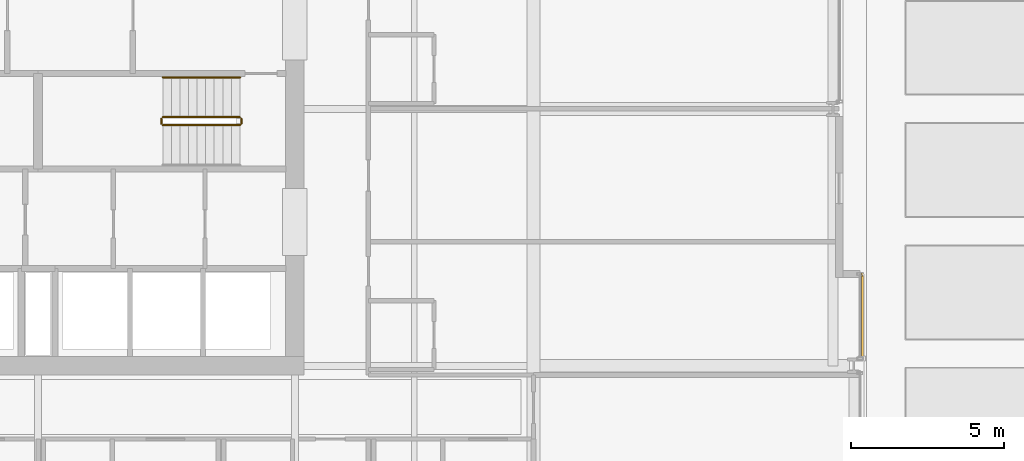
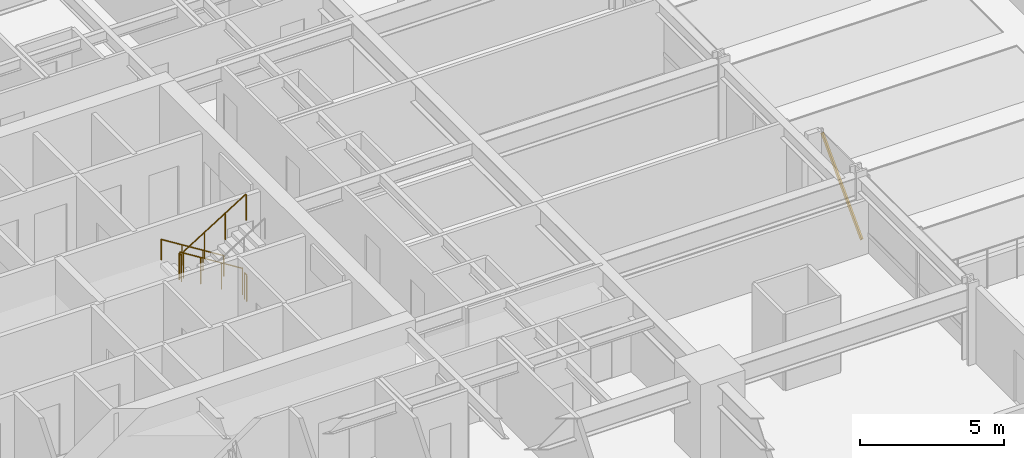
# One storey, part 41 of 42: 5 railings, 1 shading device.
"""IFC4 building model written with IfcOpenShell, lengths in metres."""

from ifc_helpers import new_model, si_unit, direction, frame, origin, origin_2d, place, context, subcontext, project, spatial, hollow_rectangle, circle, extrude, material, material_profile, profile_set, type_object, element, save


model = new_model("IFC4")

# Units and contexts
model_context = context("Model", 3, precision=1e-05, world=origin(), true_north=direction((0.0, 1.0)))
body_context = subcontext(model_context, "Body", "Model", "MODEL_VIEW")
ifc_project = project(units=[si_unit("LENGTHUNIT", "METRE"), si_unit("AREAUNIT", "SQUARE_METRE"), si_unit("VOLUMEUNIT", "CUBIC_METRE"), si_unit("PLANEANGLEUNIT", "RADIAN"), si_unit("MASSUNIT", "GRAM", prefix="KILO")], contexts=[model_context])

# Site, building, storey
site_placement = place(None, origin())
site = spatial("IfcSite", under=ifc_project, at=site_placement, CompositionType="ELEMENT")
building_placement = place(site_placement, origin())
building = spatial("IfcBuilding", under=site, at=building_placement, Name="Drelvath Grand Hotel", CompositionType="ELEMENT")
storey_placement = place(building_placement, frame((0.0, 0.0, 33.199951171875)))
storey = spatial("IfcBuildingStorey", under=building, at=storey_placement, Name="L06", CompositionType="ELEMENT", Elevation=33.199951171875)

# Railings
ifc_material_1 = material(Name="Painted Steel S275", Category="steel")
railing_type_1 = type_object("IfcRailingType", Name="Core Stair Wall Handrail 900", PredefinedType="HANDRAIL", material=ifc_material_1)
railing_1_placement = place(storey_placement, frame((6.60009765625, 28.030029296875, 0.175048828125)))
element("IfcRailing", 1, at=railing_1_placement, inside=storey, type_object=railing_type_1, Name="L06 ST-2 stair handrail 1", PredefinedType="HANDRAIL", context=body_context, shape_type="SweptSolid", body=[
    extrude(circle(Radius=0.02392578125, at=origin_2d()), frame((0.0, 0.0, 0.8759765625), z_axis=(-0.848007534815, 0.0, 0.529984170421), x_axis=(0.0, -1.0, 0.0)), (0.0, 0.0, 1.0), 2.9716796875),
    extrude(circle(Radius=0.02099609375, at=origin_2d()), origin(), (0.0, 0.0, 1.0), 0.851806640625),
    extrude(circle(Radius=0.02099609375, at=origin_2d()), frame((-0.840087890625, 0.0, 0.52490234375)), (0.0, 0.0, 1.0), 0.851806640625),
    extrude(circle(Radius=0.02099609375, at=origin_2d()), frame((-1.679931640625, 0.0, 1.050048828125)), (0.0, 0.0, 1.0), 0.851806640625),
    extrude(circle(Radius=0.02099609375, at=origin_2d()), frame((-2.52001953125, 0.0, 1.574951171875)), (0.0, 0.0, 1.0), 0.851806640625),
])
railing_type_2 = type_object("IfcRailingType", Name="Core Stair Well Guardrail 1100", PredefinedType="GUARDRAIL", material=ifc_material_1)
railing_2_placement = place(storey_placement, frame((6.60009765625, 26.72998046875, 0.175048828125)))
element("IfcRailing", 2, at=railing_2_placement, inside=storey, type_object=railing_type_2, Name="L06 ST-2 stair guard 1", PredefinedType="GUARDRAIL", context=body_context, shape_type="SweptSolid", body=[
    extrude(circle(Radius=0.02392578125, at=origin_2d()), frame((0.0, 0.0, 1.1259765625), z_axis=(-0.848007534815, 0.0, 0.529984170421), x_axis=(0.0, -1.0, 0.0)), (0.0, 0.0, 1.0), 2.9716796875),
    extrude(circle(Radius=0.02099609375, at=origin_2d()), origin(), (0.0, 0.0, 1.0), 1.101806640625),
    extrude(circle(Radius=0.02099609375, at=origin_2d()), frame((-0.840087890625, 0.0, 0.52490234375)), (0.0, 0.0, 1.0), 1.101806640625),
    extrude(circle(Radius=0.02099609375, at=origin_2d()), frame((-1.679931640625, 0.0, 1.050048828125)), (0.0, 0.0, 1.0), 1.101806640625),
    extrude(circle(Radius=0.02099609375, at=origin_2d()), frame((-2.52001953125, 0.0, 1.574951171875)), (0.0, 0.0, 1.0), 1.101806640625),
])
railing_3_placement = place(storey_placement, frame((4.030029296875, 26.679931640625, 1.75)))
element("IfcRailing", 3, at=railing_3_placement, inside=storey, type_object=railing_type_2, Name="L06 ST-2 stair guard 2", PredefinedType="GUARDRAIL", context=body_context, shape_type="SweptSolid", body=[
    extrude(circle(Radius=0.02392578125, at=origin_2d()), frame((0.0, 0.0, 1.1259765625), z_axis=(0.0, -1.0, 0.0), x_axis=(1.0, 0.0, 0.0)), (0.0, 0.0, 1.0), 0.159912109375),
    extrude(circle(Radius=0.02099609375, at=origin_2d()), origin(), (0.0, 0.0, 1.0), 1.101806640625),
    extrude(circle(Radius=0.02099609375, at=origin_2d()), frame((0.0, -0.159912109375, 0.0)), (0.0, 0.0, 1.0), 1.101806640625),
])
railing_4_placement = place(storey_placement, frame((4.080078125, 26.469970703125, 1.925048828125)))
element("IfcRailing", 4, at=railing_4_placement, inside=storey, type_object=railing_type_2, Name="L06 ST-2 stair guard 3", PredefinedType="GUARDRAIL", context=body_context, shape_type="SweptSolid", body=[
    extrude(circle(Radius=0.02392578125, at=origin_2d()), frame((0.0, 0.0, 1.1259765625), z_axis=(0.848007534815, 0.0, 0.529984170421), x_axis=(0.0, 1.0, 0.0)), (0.0, 0.0, 1.0), 2.9716796875),
    extrude(circle(Radius=0.02099609375, at=origin_2d()), origin(), (0.0, 0.0, 1.0), 1.101806640625),
    extrude(circle(Radius=0.02099609375, at=origin_2d()), frame((0.840087890625, 0.0, 0.52490234375)), (0.0, 0.0, 1.0), 1.101806640625),
    extrude(circle(Radius=0.02099609375, at=origin_2d()), frame((1.679931640625, 0.0, 1.050048828125)), (0.0, 0.0, 1.0), 1.101806640625),
    extrude(circle(Radius=0.02099609375, at=origin_2d()), frame((2.52001953125, 0.0, 1.574951171875)), (0.0, 0.0, 1.0), 1.101806640625),
])
railing_5_placement = place(storey_placement, frame((6.64990234375, 26.679931640625, 0.0)))
element("IfcRailing", 5, at=railing_5_placement, inside=storey, type_object=railing_type_2, Name="L06 ST-2 stair guard 4", PredefinedType="GUARDRAIL", context=body_context, shape_type="SweptSolid", body=[
    extrude(circle(Radius=0.02392578125, at=origin_2d()), frame((0.0, 0.0, 1.1259765625), z_axis=(0.0, -1.0, 0.0), x_axis=(1.0, 0.0, 0.0)), (0.0, 0.0, 1.0), 0.159912109375),
    extrude(circle(Radius=0.02099609375, at=origin_2d()), origin(), (0.0, 0.0, 1.0), 1.101806640625),
    extrude(circle(Radius=0.02099609375, at=origin_2d()), frame((0.0, -0.159912109375, 0.0)), (0.0, 0.0, 1.0), 1.101806640625),
])

# Shading device
ifc_material_2 = material(Name="Warm Bronze Anodised Aluminium", Category="aluminium")
ifc_material_profile = material_profile(ifc_material_2, hollow_rectangle(XDim=0.06494140625, YDim=0.159912109375, WallThickness=0.00390625, at=origin_2d()), Name="HSS160X65X4")
ifc_profile_set = profile_set([ifc_material_profile], Name="Warm Bronze Anodised Aluminium")
shading_device_type = type_object("IfcShadingDeviceType", Name="Diagonal Solar Fin Warm Bronze Anodised HSS160X65X4", PredefinedType="USERDEFINED", material=ifc_profile_set)
shading_device_placement = place(storey_placement, frame((26.9599609375, 18.8408203125, 0.179931640625), z_axis=(0.0, 0.691795011039, 0.722093943128), x_axis=(-1.0, 0.0, 0.0)))
element("IfcShadingDevice", 6, at=shading_device_placement, inside=storey, type_object=shading_device_type, Name="L06 Diagonal Anodised Fin CW02-L06-ES3", ObjectType="FIN", PredefinedType="USERDEFINED", context=body_context, shape_type="SweptSolid", body=[
    extrude(hollow_rectangle(XDim=0.06494140625, YDim=0.159912109375, WallThickness=0.00390625, at=origin_2d()), origin(), (0.0, 0.0, 1.0), 3.988525390625),
])

save(model, "model.ifc")
